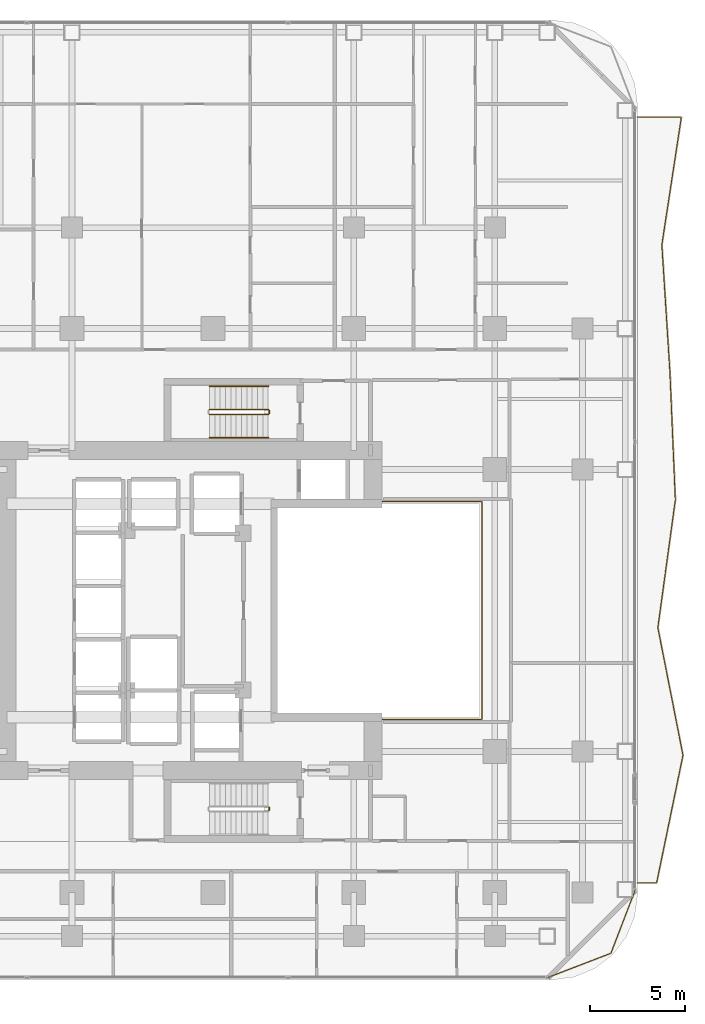
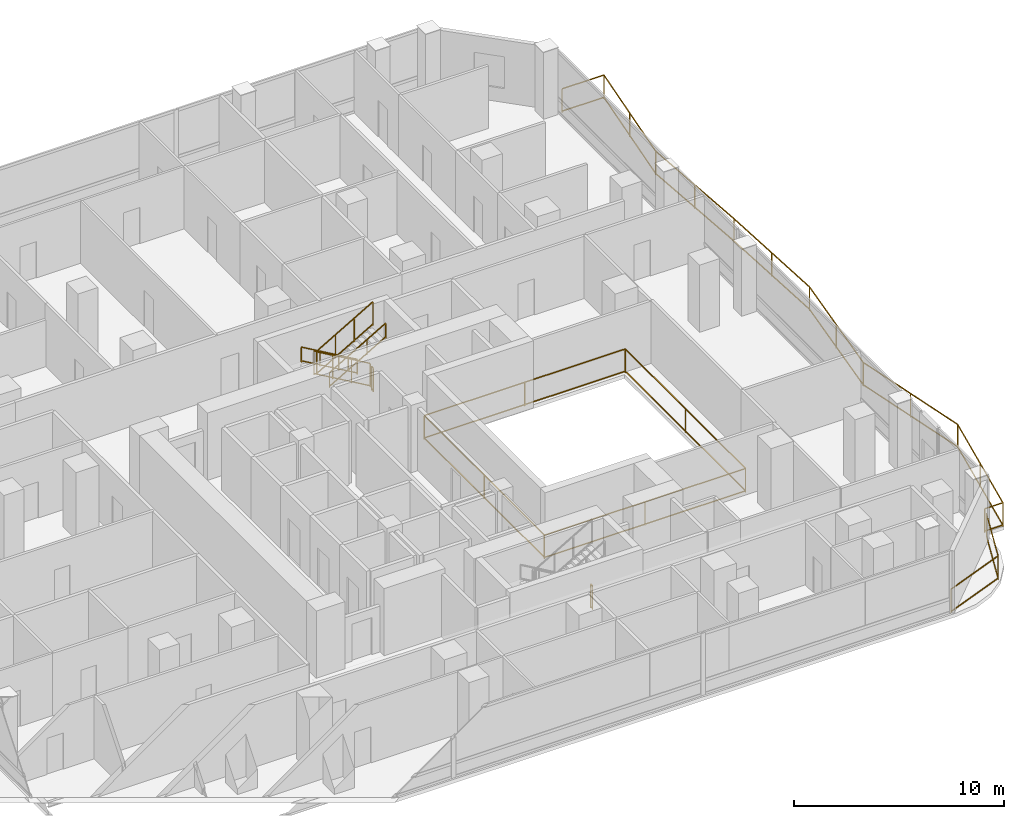
# One storey, part 27 of 28: 9 railings.
"""IFC4 building model written with IfcOpenShell, lengths in metres."""

from ifc_helpers import new_model, si_unit, direction, frame, origin, origin_2d, place, context, subcontext, project, spatial, rectangle, extrude, material, type_object, element, save


model = new_model("IFC4")

# Units and contexts
model_context = context("Model", 3, precision=1e-05, world=origin(), true_north=direction((0.0, 1.0)))
body_context = subcontext(model_context, "Body", "Model", "MODEL_VIEW")
ifc_project = project(units=[si_unit("LENGTHUNIT", "METRE"), si_unit("AREAUNIT", "SQUARE_METRE"), si_unit("VOLUMEUNIT", "CUBIC_METRE"), si_unit("PLANEANGLEUNIT", "RADIAN"), si_unit("MASSUNIT", "GRAM", prefix="KILO")], contexts=[model_context])

# Site, building, storey
site_placement = place(None, origin())
site = spatial("IfcSite", under=ifc_project, at=site_placement, CompositionType="ELEMENT")
building_placement = place(site_placement, origin())
building = spatial("IfcBuilding", under=site, at=building_placement, Name="Khorvyn Point Tower", CompositionType="ELEMENT")
storey_placement = place(building_placement, frame((0.0, 0.0, 104.699951171875)))
storey = spatial("IfcBuildingStorey", under=building, at=storey_placement, Name="L26", CompositionType="ELEMENT", Elevation=104.699951171875)

# Railings
ifc_material_1 = material(Name="Stainless steel 1.4401 and laminated glass", Category="steel")
railing_type_1 = type_object("IfcRailingType", Name="Crystal Atrium Smoke-Rated Perimeter Guardrail 1400", PredefinedType="GUARDRAIL", material=ifc_material_1)
railing_1_placement = place(storey_placement, frame((3.080078125, -5.719970703125, 0.0)))
element("IfcRailing", 1, at=railing_1_placement, inside=storey, type_object=railing_type_1, Name="L26 Crystal Atrium Perimeter Guardrail", PredefinedType="GUARDRAIL", context=body_context, shape_type="SweptSolid", body=[
    extrude(rectangle(XDim=0.048095703125, YDim=0.048095703125, at=origin_2d()), frame((0.0, 0.0, 1.3759765625), z_axis=(1.0, 0.0, 0.0), x_axis=(0.0, 1.0, 0.0)), (0.0, 0.0, 1.0), 11.0400390625),
    extrude(rectangle(XDim=0.048095703125, YDim=0.048095703125, at=origin_2d()), frame((0.0, 0.0, 0.080078125), z_axis=(1.0, 0.0, 0.0), x_axis=(0.0, 1.0, 0.0)), (0.0, 0.0, 1.0), 11.0400390625),
    extrude(rectangle(XDim=0.048095703125, YDim=0.048095703125, at=origin_2d()), frame((11.0400390625, 0.0, 1.3759765625), z_axis=(0.0, 1.0, 0.0), x_axis=(-1.0, 0.0, 0.0)), (0.0, 0.0, 1.0), 11.43994140625),
    extrude(rectangle(XDim=0.048095703125, YDim=0.048095703125, at=origin_2d()), frame((11.0400390625, 0.0, 0.080078125), z_axis=(0.0, 1.0, 0.0), x_axis=(-1.0, 0.0, 0.0)), (0.0, 0.0, 1.0), 11.43994140625),
    extrude(rectangle(XDim=0.048095703125, YDim=0.048095703125, at=origin_2d()), frame((11.0400390625, 11.43994140625, 1.3759765625), z_axis=(-1.0, 0.0, 0.0), x_axis=(0.0, -1.0, 0.0)), (0.0, 0.0, 1.0), 11.0400390625),
    extrude(rectangle(XDim=0.048095703125, YDim=0.048095703125, at=origin_2d()), frame((11.0400390625, 11.43994140625, 0.080078125), z_axis=(-1.0, 0.0, 0.0), x_axis=(0.0, -1.0, 0.0)), (0.0, 0.0, 1.0), 11.0400390625),
    extrude(rectangle(XDim=0.048095703125, YDim=0.048095703125, at=origin_2d()), frame((0.0, 11.43994140625, 1.3759765625), z_axis=(0.0, -1.0, 0.0), x_axis=(1.0, 0.0, 0.0)), (0.0, 0.0, 1.0), 11.409912109375),
    extrude(rectangle(XDim=0.048095703125, YDim=0.048095703125, at=origin_2d()), frame((0.0, 11.43994140625, 0.080078125), z_axis=(0.0, -1.0, 0.0), x_axis=(1.0, 0.0, 0.0)), (0.0, 0.0, 1.0), 11.409912109375),
    extrude(rectangle(XDim=0.0419921875, YDim=0.0419921875, at=origin_2d()), origin(), (0.0, 0.0, 1.0), 1.351806640625),
    extrude(rectangle(XDim=0.0419921875, YDim=0.0419921875, at=origin_2d()), frame((5.52001953125, 0.0, 0.0)), (0.0, 0.0, 1.0), 1.351806640625),
    extrude(rectangle(XDim=0.0419921875, YDim=0.0419921875, at=origin_2d()), frame((11.0400390625, 0.0, 0.0)), (0.0, 0.0, 1.0), 1.351806640625),
    extrude(rectangle(XDim=0.0419921875, YDim=0.0419921875, at=origin_2d()), frame((11.0400390625, 5.719970703125, 0.0)), (0.0, 0.0, 1.0), 1.351806640625),
    extrude(rectangle(XDim=0.0419921875, YDim=0.0419921875, at=origin_2d()), frame((11.0400390625, 11.43994140625, 0.0)), (0.0, 0.0, 1.0), 1.351806640625),
    extrude(rectangle(XDim=0.0419921875, YDim=0.0419921875, at=origin_2d()), frame((5.52001953125, 11.43994140625, 0.0)), (0.0, 0.0, 1.0), 1.351806640625),
    extrude(rectangle(XDim=0.0419921875, YDim=0.0419921875, at=origin_2d()), frame((0.0, 11.43994140625, 0.0)), (0.0, 0.0, 1.0), 1.351806640625),
    extrude(rectangle(XDim=0.0419921875, YDim=0.0419921875, at=origin_2d()), frame((0.0, 5.73486328125, 0.0)), (0.0, 0.0, 1.0), 1.351806640625),
    extrude(rectangle(XDim=0.0419921875, YDim=0.0419921875, at=origin_2d()), frame((0.0, 0.030029296875, 0.0)), (0.0, 0.0, 1.0), 1.351806640625),
])
ifc_material_2 = material(Name="Anodised aluminium 6063-T6 and laminated safety glass", Category="aluminium")
railing_type_2 = type_object("IfcRailingType", Name="Laminated Glass and Aluminium Balcony Guardrail 1400", PredefinedType="BALUSTRADE", material=ifc_material_2)
railing_2_placement = place(storey_placement, frame((17.57080078125, -19.27392578125, 0.0)))
element("IfcRailing", 2, at=railing_2_placement, inside=storey, type_object=railing_type_2, Name="L26 Rounded Corner Edge Guardrail SE", PredefinedType="BALUSTRADE", context=body_context, shape_type="SweptSolid", body=[
    extrude(rectangle(XDim=0.048095703125, YDim=0.048095703125, at=origin_2d()), frame((0.0, 0.0, 1.3759765625), z_axis=(0.933583807283, 0.358359142172, 0.0), x_axis=(-0.358359142172, 0.933583807283, 0.0)), (0.0, 0.0, 1.0), 3.56298828125),
    extrude(rectangle(XDim=0.048095703125, YDim=0.048095703125, at=origin_2d()), frame((0.0, 0.0, 0.080078125), z_axis=(0.933583807283, 0.358359142172, 0.0), x_axis=(-0.358359142172, 0.933583807283, 0.0)), (0.0, 0.0, 1.0), 3.56298828125),
    extrude(rectangle(XDim=0.048095703125, YDim=0.048095703125, at=origin_2d()), frame((3.326416015625, 1.27685546875, 1.3759765625), z_axis=(0.358382067435, 0.933575007025, 0.0), x_axis=(-0.933575007025, 0.358382067435, 0.0)), (0.0, 0.0, 1.0), 3.562744140625),
    extrude(rectangle(XDim=0.048095703125, YDim=0.048095703125, at=origin_2d()), frame((3.326416015625, 1.27685546875, 0.080078125), z_axis=(0.358382067435, 0.933575007025, 0.0), x_axis=(-0.933575007025, 0.358382067435, 0.0)), (0.0, 0.0, 1.0), 3.562744140625),
    extrude(rectangle(XDim=0.0419921875, YDim=0.0419921875, at=origin_2d()), origin(), (0.0, 0.0, 1.0), 1.351806640625),
    extrude(rectangle(XDim=0.0419921875, YDim=0.0419921875, at=origin_2d()), frame((3.326416015625, 1.27685546875, 0.0)), (0.0, 0.0, 1.0), 1.351806640625),
    extrude(rectangle(XDim=0.0419921875, YDim=0.0419921875, at=origin_2d()), frame((4.603271484375, 4.60302734375, 0.0)), (0.0, 0.0, 1.0), 1.351806640625),
])
railing_3_placement = place(storey_placement, frame((22.300048828125, -14.300048828125, 0.0)))
element("IfcRailing", 3, at=railing_3_placement, inside=storey, type_object=railing_type_2, Name="L26 East Balcony Guardrail", PredefinedType="BALUSTRADE", context=body_context, shape_type="SweptSolid", body=[
    extrude(rectangle(XDim=0.048095703125, YDim=0.048095703125, at=origin_2d()), frame((0.0, 0.0, 1.3759765625), z_axis=(1.0, 0.0, 0.0), x_axis=(0.0, 1.0, 0.0)), (0.0, 0.0, 1.0), 0.9951171875),
    extrude(rectangle(XDim=0.048095703125, YDim=0.048095703125, at=origin_2d()), frame((0.0, 0.0, 0.080078125), z_axis=(1.0, 0.0, 0.0), x_axis=(0.0, 1.0, 0.0)), (0.0, 0.0, 1.0), 0.9951171875),
    extrude(rectangle(XDim=0.048095703125, YDim=0.048095703125, at=origin_2d()), frame((0.9951171875, 0.0, 1.3759765625), z_axis=(0.20233655163, 0.979316046981, 0.0), x_axis=(-0.979316046981, 0.20233655163, 0.0)), (0.0, 0.0, 1.0), 6.841552734375),
    extrude(rectangle(XDim=0.048095703125, YDim=0.048095703125, at=origin_2d()), frame((0.9951171875, 0.0, 0.080078125), z_axis=(0.20233655163, 0.979316046981, 0.0), x_axis=(-0.979316046981, 0.20233655163, 0.0)), (0.0, 0.0, 1.0), 6.841552734375),
    extrude(rectangle(XDim=0.048095703125, YDim=0.048095703125, at=origin_2d()), frame((2.37939453125, 6.699951171875, 1.3759765625), z_axis=(-0.193200160481, 0.981159364217, 0.0), x_axis=(-0.981159364217, -0.193200160481, 0.0)), (0.0, 0.0, 1.0), 6.828857421875),
    extrude(rectangle(XDim=0.048095703125, YDim=0.048095703125, at=origin_2d()), frame((2.37939453125, 6.699951171875, 0.080078125), z_axis=(-0.193200160481, 0.981159364217, 0.0), x_axis=(-0.981159364217, -0.193200160481, 0.0)), (0.0, 0.0, 1.0), 6.828857421875),
    extrude(rectangle(XDim=0.048095703125, YDim=0.048095703125, at=origin_2d()), frame((1.06005859375, 13.400146484375, 1.3759765625), z_axis=(0.135778529509, 0.990739214387, 0.0), x_axis=(-0.990739214387, 0.135778529509, 0.0)), (0.0, 0.0, 1.0), 6.7626953125),
    extrude(rectangle(XDim=0.048095703125, YDim=0.048095703125, at=origin_2d()), frame((1.06005859375, 13.400146484375, 0.080078125), z_axis=(0.135778529509, 0.990739214387, 0.0), x_axis=(-0.990739214387, 0.135778529509, 0.0)), (0.0, 0.0, 1.0), 6.7626953125),
    extrude(rectangle(XDim=0.048095703125, YDim=0.048095703125, at=origin_2d()), frame((1.978271484375, 20.10009765625, 1.3759765625), z_axis=(-0.042195378406, 0.999109378417, 0.0), x_axis=(-0.999109378417, -0.042195378406, 0.0)), (0.0, 0.0, 1.0), 6.705810546875),
    extrude(rectangle(XDim=0.048095703125, YDim=0.048095703125, at=origin_2d()), frame((1.978271484375, 20.10009765625, 0.080078125), z_axis=(-0.042195378406, 0.999109378417, 0.0), x_axis=(-0.999109378417, -0.042195378406, 0.0)), (0.0, 0.0, 1.0), 6.705810546875),
    extrude(rectangle(XDim=0.048095703125, YDim=0.048095703125, at=origin_2d()), frame((1.6953125, 26.800048828125, 1.3759765625), z_axis=(-0.063277084693, 0.997995997263, 0.0), x_axis=(-0.997995997263, -0.063277084693, 0.0)), (0.0, 0.0, 1.0), 6.71337890625),
    extrude(rectangle(XDim=0.048095703125, YDim=0.048095703125, at=origin_2d()), frame((1.6953125, 26.800048828125, 0.080078125), z_axis=(-0.063277084693, 0.997995997263, 0.0), x_axis=(-0.997995997263, -0.063277084693, 0.0)), (0.0, 0.0, 1.0), 6.71337890625),
    extrude(rectangle(XDim=0.048095703125, YDim=0.048095703125, at=origin_2d()), frame((1.2705078125, 33.5, 1.3759765625), z_axis=(0.151071842168, 0.988522786032, 0.0), x_axis=(-0.988522786032, 0.151071842168, 0.0)), (0.0, 0.0, 1.0), 6.77783203125),
    extrude(rectangle(XDim=0.048095703125, YDim=0.048095703125, at=origin_2d()), frame((1.2705078125, 33.5, 0.080078125), z_axis=(0.151071842168, 0.988522786032, 0.0), x_axis=(-0.988522786032, 0.151071842168, 0.0)), (0.0, 0.0, 1.0), 6.77783203125),
    extrude(rectangle(XDim=0.048095703125, YDim=0.048095703125, at=origin_2d()), frame((2.29443359375, 40.199951171875, 1.3759765625), z_axis=(-1.0, 0.0, 0.0), x_axis=(0.0, -1.0, 0.0)), (0.0, 0.0, 1.0), 2.29443359375),
    extrude(rectangle(XDim=0.048095703125, YDim=0.048095703125, at=origin_2d()), frame((2.29443359375, 40.199951171875, 0.080078125), z_axis=(-1.0, 0.0, 0.0), x_axis=(0.0, -1.0, 0.0)), (0.0, 0.0, 1.0), 2.29443359375),
    extrude(rectangle(XDim=0.0419921875, YDim=0.0419921875, at=origin_2d()), origin(), (0.0, 0.0, 1.0), 1.351806640625),
    extrude(rectangle(XDim=0.0419921875, YDim=0.0419921875, at=origin_2d()), frame((0.9951171875, 0.0, 0.0)), (0.0, 0.0, 1.0), 1.351806640625),
    extrude(rectangle(XDim=0.0419921875, YDim=0.0419921875, at=origin_2d()), frame((1.687255859375, 3.35009765625, 0.0)), (0.0, 0.0, 1.0), 1.351806640625),
    extrude(rectangle(XDim=0.0419921875, YDim=0.0419921875, at=origin_2d()), frame((2.37939453125, 6.699951171875, 0.0)), (0.0, 0.0, 1.0), 1.351806640625),
    extrude(rectangle(XDim=0.0419921875, YDim=0.0419921875, at=origin_2d()), frame((1.7197265625, 10.050048828125, 0.0)), (0.0, 0.0, 1.0), 1.351806640625),
    extrude(rectangle(XDim=0.0419921875, YDim=0.0419921875, at=origin_2d()), frame((1.06005859375, 13.400146484375, 0.0)), (0.0, 0.0, 1.0), 1.351806640625),
    extrude(rectangle(XDim=0.0419921875, YDim=0.0419921875, at=origin_2d()), frame((1.51904296875, 16.75, 0.0)), (0.0, 0.0, 1.0), 1.351806640625),
    extrude(rectangle(XDim=0.0419921875, YDim=0.0419921875, at=origin_2d()), frame((1.978271484375, 20.10009765625, 0.0)), (0.0, 0.0, 1.0), 1.351806640625),
    extrude(rectangle(XDim=0.0419921875, YDim=0.0419921875, at=origin_2d()), frame((1.8369140625, 23.4501953125, 0.0)), (0.0, 0.0, 1.0), 1.351806640625),
    extrude(rectangle(XDim=0.0419921875, YDim=0.0419921875, at=origin_2d()), frame((1.6953125, 26.800048828125, 0.0)), (0.0, 0.0, 1.0), 1.351806640625),
    extrude(rectangle(XDim=0.0419921875, YDim=0.0419921875, at=origin_2d()), frame((1.48291015625, 30.14990234375, 0.0)), (0.0, 0.0, 1.0), 1.351806640625),
    extrude(rectangle(XDim=0.0419921875, YDim=0.0419921875, at=origin_2d()), frame((1.2705078125, 33.5, 0.0)), (0.0, 0.0, 1.0), 1.351806640625),
    extrude(rectangle(XDim=0.0419921875, YDim=0.0419921875, at=origin_2d()), frame((1.782470703125, 36.85009765625, 0.0)), (0.0, 0.0, 1.0), 1.351806640625),
    extrude(rectangle(XDim=0.0419921875, YDim=0.0419921875, at=origin_2d()), frame((2.29443359375, 40.199951171875, 0.0)), (0.0, 0.0, 1.0), 1.351806640625),
    extrude(rectangle(XDim=0.0419921875, YDim=0.0419921875, at=origin_2d()), frame((0.0, 40.199951171875, 0.0)), (0.0, 0.0, 1.0), 1.351806640625),
])
ifc_material_3 = material(Name="Stainless steel 1.4301", Category="steel")
railing_type_3 = type_object("IfcRailingType", Name="Stainless Steel 304 Stair Pitch Handrail 900", PredefinedType="HANDRAIL", material=ifc_material_3)
railing_4_placement = place(storey_placement, frame((2.89990234375, 11.77001953125, 0.16259765625)))
element("IfcRailing", 4, at=railing_4_placement, inside=storey, type_object=railing_type_3, Name="L26 ST-02 stair handrail 1", PredefinedType="HANDRAIL", context=body_context, shape_type="SweptSolid", body=[
    extrude(rectangle(XDim=0.048095703125, YDim=0.048095703125, at=origin_2d()), frame((0.0, 0.0, 0.8759765625), z_axis=(-0.864903211148, 0.0, 0.501938676878), x_axis=(0.0, -1.0, 0.0)), (0.0, 0.0, 1.0), 3.560791015625),
    extrude(rectangle(XDim=0.048095703125, YDim=0.048095703125, at=origin_2d()), frame((0.0, 0.0, 0.080078125), z_axis=(-0.864903211148, 0.0, 0.501938676878), x_axis=(0.0, -1.0, 0.0)), (0.0, 0.0, 1.0), 3.560791015625),
    extrude(rectangle(XDim=0.0419921875, YDim=0.0419921875, at=origin_2d()), origin(), (0.0, 0.0, 1.0), 0.851806640625),
    extrude(rectangle(XDim=0.0419921875, YDim=0.0419921875, at=origin_2d()), frame((-1.026611328125, 0.0, 0.595703125)), (0.0, 0.0, 1.0), 0.851806640625),
    extrude(rectangle(XDim=0.0419921875, YDim=0.0419921875, at=origin_2d()), frame((-2.05322265625, 0.0, 1.191650390625)), (0.0, 0.0, 1.0), 0.851806640625),
    extrude(rectangle(XDim=0.0419921875, YDim=0.0419921875, at=origin_2d()), frame((-3.079833984375, 0.0, 1.787353515625)), (0.0, 0.0, 1.0), 0.851806640625),
])
railing_5_placement = place(storey_placement, frame((-0.179931640625, 9.070068359375, 2.112548828125)))
element("IfcRailing", 5, at=railing_5_placement, inside=storey, type_object=railing_type_3, Name="L26 ST-02 stair handrail 2", PredefinedType="HANDRAIL", context=body_context, shape_type="SweptSolid", body=[
    extrude(rectangle(XDim=0.048095703125, YDim=0.048095703125, at=origin_2d()), frame((0.0, 0.0, 0.8759765625), z_axis=(0.864873446163, 0.0, 0.501989962173), x_axis=(0.0, 1.0, 0.0)), (0.0, 0.0, 1.0), 3.56103515625),
    extrude(rectangle(XDim=0.048095703125, YDim=0.048095703125, at=origin_2d()), frame((0.0, 0.0, 0.080078125), z_axis=(0.864873446163, 0.0, 0.501989962173), x_axis=(0.0, 1.0, 0.0)), (0.0, 0.0, 1.0), 3.56103515625),
    extrude(rectangle(XDim=0.0419921875, YDim=0.0419921875, at=origin_2d()), origin(), (0.0, 0.0, 1.0), 0.851806640625),
    extrude(rectangle(XDim=0.0419921875, YDim=0.0419921875, at=origin_2d()), frame((1.026611328125, 0.0, 0.595947265625)), (0.0, 0.0, 1.0), 0.851806640625),
    extrude(rectangle(XDim=0.0419921875, YDim=0.0419921875, at=origin_2d()), frame((2.05322265625, 0.0, 1.191650390625)), (0.0, 0.0, 1.0), 0.851806640625),
    extrude(rectangle(XDim=0.0419921875, YDim=0.0419921875, at=origin_2d()), frame((3.079833984375, 0.0, 1.78759765625)), (0.0, 0.0, 1.0), 0.851806640625),
])
railing_type_4 = type_object("IfcRailingType", Name="Stainless Steel 304 Stair Well Guardrail 1400", PredefinedType="GUARDRAIL", material=ifc_material_3)
railing_6_placement = place(storey_placement, frame((2.949951171875, -10.340087890625, 0.0)))
element("IfcRailing", 6, at=railing_6_placement, inside=storey, type_object=railing_type_4, Name="L26 ST-01 stair guard 4", PredefinedType="GUARDRAIL", context=body_context, shape_type="SweptSolid", body=[
    extrude(rectangle(XDim=0.048095703125, YDim=0.048095703125, at=origin_2d()), frame((0.0, 0.0, 1.3759765625), z_axis=(0.0, -1.0, 0.0), x_axis=(1.0, 0.0, 0.0)), (0.0, 0.0, 1.0), 0.159912109375),
    extrude(rectangle(XDim=0.048095703125, YDim=0.048095703125, at=origin_2d()), frame((0.0, 0.0, 0.080078125), z_axis=(0.0, -1.0, 0.0), x_axis=(1.0, 0.0, 0.0)), (0.0, 0.0, 1.0), 0.159912109375),
    extrude(rectangle(XDim=0.0419921875, YDim=0.0419921875, at=origin_2d()), origin(), (0.0, 0.0, 1.0), 1.351806640625),
    extrude(rectangle(XDim=0.0419921875, YDim=0.0419921875, at=origin_2d()), frame((0.0, -0.159912109375, 0.0)), (0.0, 0.0, 1.0), 1.351806640625),
])
railing_7_placement = place(storey_placement, frame((2.89990234375, 10.550048828125, 0.16259765625)))
element("IfcRailing", 7, at=railing_7_placement, inside=storey, type_object=railing_type_4, Name="L26 ST-02 stair guard 1", PredefinedType="GUARDRAIL", context=body_context, shape_type="SweptSolid", body=[
    extrude(rectangle(XDim=0.048095703125, YDim=0.048095703125, at=origin_2d()), frame((0.0, 0.0, 1.3759765625), z_axis=(-0.864903211148, 0.0, 0.501938676878), x_axis=(0.0, -1.0, 0.0)), (0.0, 0.0, 1.0), 3.560791015625),
    extrude(rectangle(XDim=0.048095703125, YDim=0.048095703125, at=origin_2d()), frame((0.0, 0.0, 0.080078125), z_axis=(-0.864903211148, 0.0, 0.501938676878), x_axis=(0.0, -1.0, 0.0)), (0.0, 0.0, 1.0), 3.560791015625),
    extrude(rectangle(XDim=0.0419921875, YDim=0.0419921875, at=origin_2d()), origin(), (0.0, 0.0, 1.0), 1.351806640625),
    extrude(rectangle(XDim=0.0419921875, YDim=0.0419921875, at=origin_2d()), frame((-1.026611328125, 0.0, 0.595703125)), (0.0, 0.0, 1.0), 1.351806640625),
    extrude(rectangle(XDim=0.0419921875, YDim=0.0419921875, at=origin_2d()), frame((-2.05322265625, 0.0, 1.191650390625)), (0.0, 0.0, 1.0), 1.351806640625),
    extrude(rectangle(XDim=0.0419921875, YDim=0.0419921875, at=origin_2d()), frame((-3.079833984375, 0.0, 1.787353515625)), (0.0, 0.0, 1.0), 1.351806640625),
])
railing_8_placement = place(storey_placement, frame((-0.179931640625, 10.2900390625, 2.112548828125)))
element("IfcRailing", 8, at=railing_8_placement, inside=storey, type_object=railing_type_4, Name="L26 ST-02 stair guard 3", PredefinedType="GUARDRAIL", context=body_context, shape_type="SweptSolid", body=[
    extrude(rectangle(XDim=0.048095703125, YDim=0.048095703125, at=origin_2d()), frame((0.0, 0.0, 1.3759765625), z_axis=(0.864873446163, 0.0, 0.501989962173), x_axis=(0.0, 1.0, 0.0)), (0.0, 0.0, 1.0), 3.56103515625),
    extrude(rectangle(XDim=0.048095703125, YDim=0.048095703125, at=origin_2d()), frame((0.0, 0.0, 0.080078125), z_axis=(0.864873446163, 0.0, 0.501989962173), x_axis=(0.0, 1.0, 0.0)), (0.0, 0.0, 1.0), 3.56103515625),
    extrude(rectangle(XDim=0.0419921875, YDim=0.0419921875, at=origin_2d()), origin(), (0.0, 0.0, 1.0), 1.351806640625),
    extrude(rectangle(XDim=0.0419921875, YDim=0.0419921875, at=origin_2d()), frame((1.026611328125, 0.0, 0.595947265625)), (0.0, 0.0, 1.0), 1.351806640625),
    extrude(rectangle(XDim=0.0419921875, YDim=0.0419921875, at=origin_2d()), frame((2.05322265625, 0.0, 1.191650390625)), (0.0, 0.0, 1.0), 1.351806640625),
    extrude(rectangle(XDim=0.0419921875, YDim=0.0419921875, at=origin_2d()), frame((3.079833984375, 0.0, 1.78759765625)), (0.0, 0.0, 1.0), 1.351806640625),
])
railing_9_placement = place(storey_placement, frame((2.949951171875, 10.5, 0.0)))
element("IfcRailing", 9, at=railing_9_placement, inside=storey, type_object=railing_type_4, Name="L26 ST-02 stair guard 4", PredefinedType="GUARDRAIL", context=body_context, shape_type="SweptSolid", body=[
    extrude(rectangle(XDim=0.048095703125, YDim=0.048095703125, at=origin_2d()), frame((0.0, 0.0, 1.3759765625), z_axis=(0.0, -1.0, 0.0), x_axis=(1.0, 0.0, 0.0)), (0.0, 0.0, 1.0), 0.159912109375),
    extrude(rectangle(XDim=0.048095703125, YDim=0.048095703125, at=origin_2d()), frame((0.0, 0.0, 0.080078125), z_axis=(0.0, -1.0, 0.0), x_axis=(1.0, 0.0, 0.0)), (0.0, 0.0, 1.0), 0.159912109375),
    extrude(rectangle(XDim=0.0419921875, YDim=0.0419921875, at=origin_2d()), origin(), (0.0, 0.0, 1.0), 1.351806640625),
    extrude(rectangle(XDim=0.0419921875, YDim=0.0419921875, at=origin_2d()), frame((0.0, -0.159912109375, 0.0)), (0.0, 0.0, 1.0), 1.351806640625),
])

save(model, "model.ifc")
